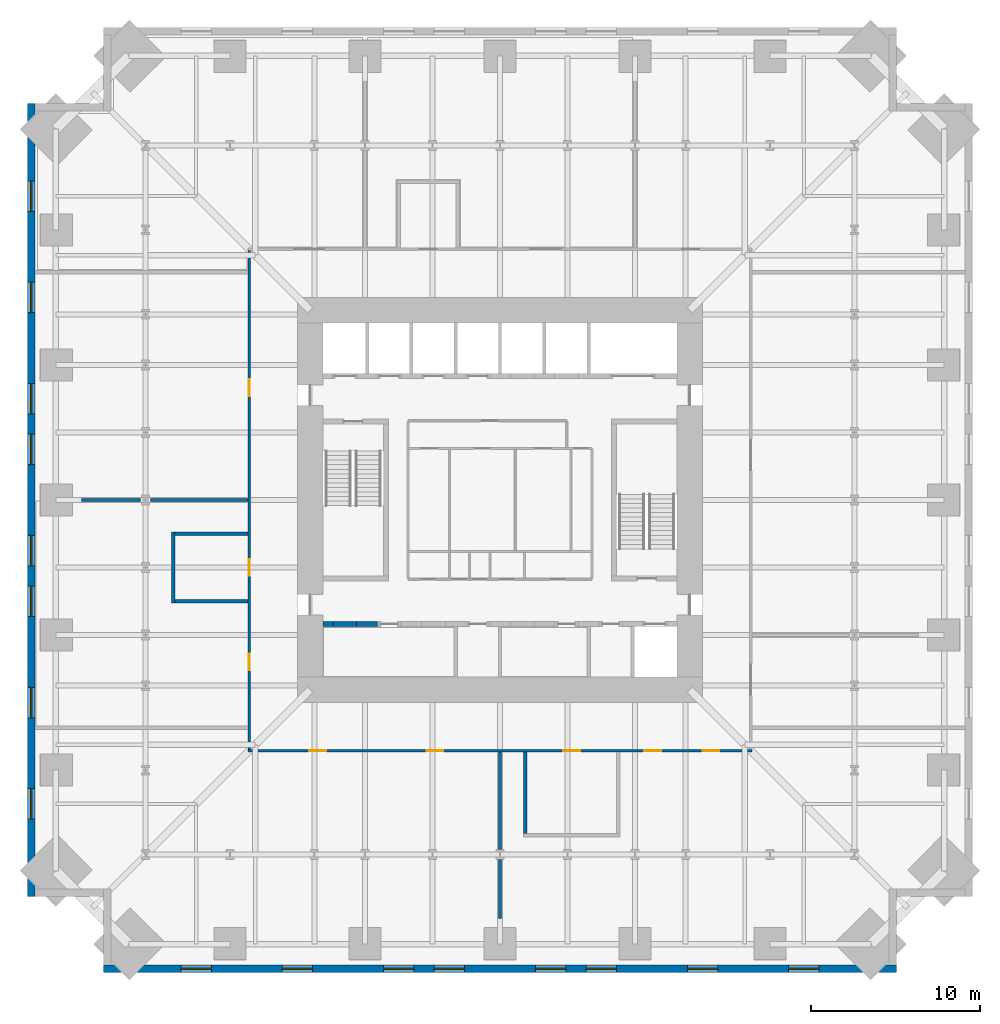
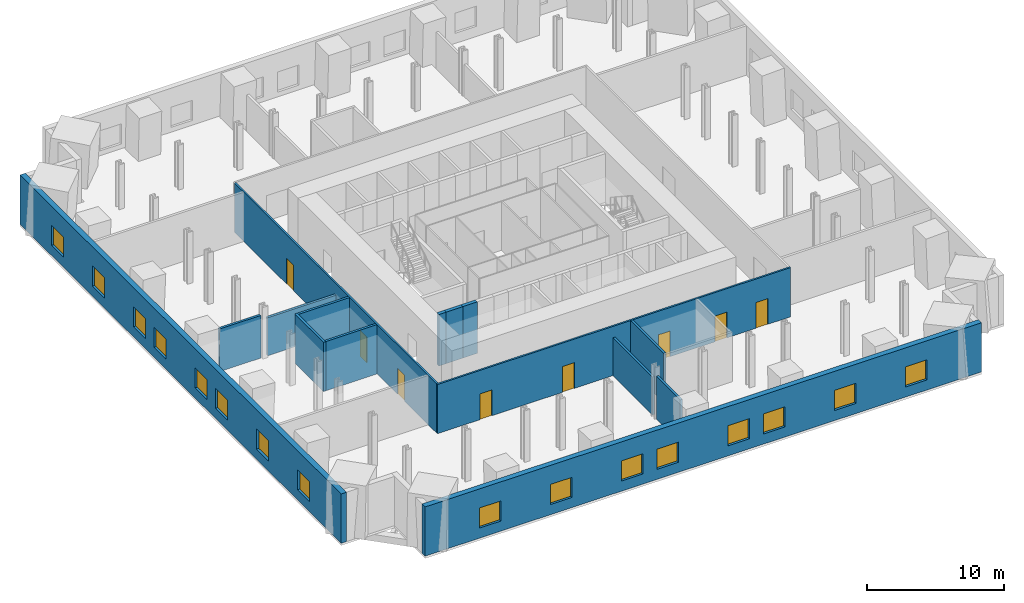
# One storey, part 3 of 8: 16 windows, 15 walls, 8 doors, 24 openings.
"""IFC4 building model written with IfcOpenShell, lengths in metres."""

from ifc_helpers import new_model, si_unit, direction, frame, frame_2d, origin, place, context, subcontext, project, spatial, rectangle, extrude, material, layer, layer_set, type_object, element, fill, save


model = new_model("IFC4")

# Units and contexts
model_context = context("Model", 3, precision=1e-05, world=origin(), true_north=direction((0.0, 1.0)))
body_context = subcontext(model_context, "Body", "Model", "MODEL_VIEW")
ifc_project = project(units=[si_unit("LENGTHUNIT", "METRE"), si_unit("AREAUNIT", "SQUARE_METRE"), si_unit("VOLUMEUNIT", "CUBIC_METRE"), si_unit("PLANEANGLEUNIT", "RADIAN"), si_unit("MASSUNIT", "GRAM", prefix="KILO")], contexts=[model_context])

# Site, building, storey
site_placement = place(None, origin())
site = spatial("IfcSite", under=ifc_project, at=site_placement, CompositionType="ELEMENT")
building_placement = place(site_placement, origin())
building = spatial("IfcBuilding", under=site, at=building_placement, Name="Peilmerk Tower", CompositionType="ELEMENT")
storey_placement = place(building_placement, frame((0.0, 0.0, 113.60009765625)))
storey = spatial("IfcBuildingStorey", under=building, at=storey_placement, Name="L22", CompositionType="ELEMENT", Elevation=113.60009765625)

# Wall, openings, windows
ifc_material_1 = material(Name="Precast concrete C45/55, board-marked finish", Category="concrete")
ifc_layer_1 = layer(ifc_material_1, 0.449951171875)
ifc_layer_set_1 = layer_set([ifc_layer_1], Name="Precast concrete C45/55, board-marked finish")
wall_type_1 = type_object("IfcWallType", Name="EW1 450 precast concrete facade wall, board-marked", PredefinedType="SOLIDWALL", material=ifc_layer_set_1)
wall_1_placement = place(storey_placement, frame((-23.5, -27.77490234375, 0.0), z_axis=(0.0, 0.0, 1.0), x_axis=(1.0, 0.0, 0.0)))
wall_1 = element("IfcWall", 1, at=wall_1_placement, inside=storey, type_object=wall_type_1, Name="Facade wall S L22", PredefinedType="SOLIDWALL", context=body_context, shape_type="SweptSolid", body=[
    extrude(rectangle(XDim=47.0, YDim=0.449951171875, at=frame_2d((23.5, 0.0))), origin(), (0.0, 0.0, 1.0), 4.39990234375),
])
opening_1_placement = place(wall_1_placement, frame((4.60009765625, 0.0, 0.89990234375)))
opening_1 = element("IfcOpeningElement", 2, at=opening_1_placement, cuts=wall_1, Name="Opening W3", PredefinedType="OPENING", context=body_context, shape_type="SweptSolid", body=[
    extrude(rectangle(XDim=1.800048828125, YDim=1.800048828125, at=frame_2d((0.89990234375, 0.89990234375))), frame((0.0, 0.23486328125, 0.0), z_axis=(0.0, -1.0, 0.0), x_axis=(1.0, 0.0, 0.0)), (0.0, 0.0, 1.0), 0.469970703125),
])
opening_2_placement = place(wall_1_placement, frame((10.60009765625, 0.0, 0.89990234375)))
opening_2 = element("IfcOpeningElement", 3, at=opening_2_placement, cuts=wall_1, Name="Opening W3", PredefinedType="OPENING", context=body_context, shape_type="SweptSolid", body=[
    extrude(rectangle(XDim=1.800048828125, YDim=1.800048828125, at=frame_2d((0.89990234375, 0.89990234375))), frame((0.0, 0.23486328125, 0.0), z_axis=(0.0, -1.0, 0.0), x_axis=(1.0, 0.0, 0.0)), (0.0, 0.0, 1.0), 0.469970703125),
])
opening_3_placement = place(wall_1_placement, frame((16.60009765625, 0.0, 0.89990234375)))
opening_3 = element("IfcOpeningElement", 4, at=opening_3_placement, cuts=wall_1, Name="Opening W3", PredefinedType="OPENING", context=body_context, shape_type="SweptSolid", body=[
    extrude(rectangle(XDim=1.800048828125, YDim=1.800048828125, at=frame_2d((0.89990234375, 0.89990234375))), frame((0.0, 0.23486328125, 0.0), z_axis=(0.0, -1.0, 0.0), x_axis=(1.0, 0.0, 0.0)), (0.0, 0.0, 1.0), 0.469970703125),
])
opening_4_placement = place(wall_1_placement, frame((19.60009765625, 0.0, 0.89990234375)))
opening_4 = element("IfcOpeningElement", 5, at=opening_4_placement, cuts=wall_1, Name="Opening W3", PredefinedType="OPENING", context=body_context, shape_type="SweptSolid", body=[
    extrude(rectangle(XDim=1.800048828125, YDim=1.800048828125, at=frame_2d((0.89990234375, 0.89990234375))), frame((0.0, 0.23486328125, 0.0), z_axis=(0.0, -1.0, 0.0), x_axis=(1.0, 0.0, 0.0)), (0.0, 0.0, 1.0), 0.469970703125),
])
opening_5_placement = place(wall_1_placement, frame((25.60009765625, 0.0, 0.89990234375)))
opening_5 = element("IfcOpeningElement", 6, at=opening_5_placement, cuts=wall_1, Name="Opening W3", PredefinedType="OPENING", context=body_context, shape_type="SweptSolid", body=[
    extrude(rectangle(XDim=1.800048828125, YDim=1.800048828125, at=frame_2d((0.89990234375, 0.89990234375))), frame((0.0, 0.23486328125, 0.0), z_axis=(0.0, -1.0, 0.0), x_axis=(1.0, 0.0, 0.0)), (0.0, 0.0, 1.0), 0.469970703125),
])
opening_6_placement = place(wall_1_placement, frame((28.60009765625, 0.0, 0.89990234375)))
opening_6 = element("IfcOpeningElement", 7, at=opening_6_placement, cuts=wall_1, Name="Opening W3", PredefinedType="OPENING", context=body_context, shape_type="SweptSolid", body=[
    extrude(rectangle(XDim=1.800048828125, YDim=1.800048828125, at=frame_2d((0.89990234375, 0.89990234375))), frame((0.0, 0.23486328125, 0.0), z_axis=(0.0, -1.0, 0.0), x_axis=(1.0, 0.0, 0.0)), (0.0, 0.0, 1.0), 0.469970703125),
])
opening_7_placement = place(wall_1_placement, frame((34.60009765625, 0.0, 0.89990234375)))
opening_7 = element("IfcOpeningElement", 8, at=opening_7_placement, cuts=wall_1, Name="Opening W3", PredefinedType="OPENING", context=body_context, shape_type="SweptSolid", body=[
    extrude(rectangle(XDim=1.800048828125, YDim=1.800048828125, at=frame_2d((0.89990234375, 0.89990234375))), frame((0.0, 0.23486328125, 0.0), z_axis=(0.0, -1.0, 0.0), x_axis=(1.0, 0.0, 0.0)), (0.0, 0.0, 1.0), 0.469970703125),
])
opening_8_placement = place(wall_1_placement, frame((40.60009765625, 0.0, 0.89990234375)))
opening_8 = element("IfcOpeningElement", 9, at=opening_8_placement, cuts=wall_1, Name="Opening W3", PredefinedType="OPENING", context=body_context, shape_type="SweptSolid", body=[
    extrude(rectangle(XDim=1.800048828125, YDim=1.800048828125, at=frame_2d((0.89990234375, 0.89990234375))), frame((0.0, 0.23486328125, 0.0), z_axis=(0.0, -1.0, 0.0), x_axis=(1.0, 0.0, 0.0)), (0.0, 0.0, 1.0), 0.469970703125),
])
ifc_material_2 = material(Name="Aluminium frame, clear double glazing", Category="aluminium")
window_type = type_object("IfcWindowType", Name="W3 1800x1800 telecom floor window", PartitioningType="SINGLE_PANEL", PredefinedType="WINDOW", material=ifc_material_2)
window_1_placement = place(opening_1_placement, origin())
window_1 = element("IfcWindow", 10, at=window_1_placement, inside=storey, type_object=window_type, Name="Window W3 L22", OverallHeight=1.800048828125, OverallWidth=1.800048828125, PartitioningType="SINGLE_PANEL", PredefinedType="WINDOW", context=body_context, shape_type="SweptSolid", body=[
    extrude(rectangle(XDim=1.800048828125, YDim=1.800048828125, at=frame_2d((0.89990234375, 0.89990234375))), frame((0.0, 0.030029296875, 0.0), z_axis=(0.0, -1.0, 0.0), x_axis=(1.0, 0.0, 0.0)), (0.0, 0.0, 1.0), 0.06005859375),
])
fill(opening_1, window_1)
window_2_placement = place(opening_2_placement, origin())
window_2 = element("IfcWindow", 11, at=window_2_placement, inside=storey, type_object=window_type, Name="Window W3 L22", OverallHeight=1.800048828125, OverallWidth=1.800048828125, PartitioningType="SINGLE_PANEL", PredefinedType="WINDOW", context=body_context, shape_type="SweptSolid", body=[
    extrude(rectangle(XDim=1.800048828125, YDim=1.800048828125, at=frame_2d((0.89990234375, 0.89990234375))), frame((0.0, 0.030029296875, 0.0), z_axis=(0.0, -1.0, 0.0), x_axis=(1.0, 0.0, 0.0)), (0.0, 0.0, 1.0), 0.06005859375),
])
fill(opening_2, window_2)
window_3_placement = place(opening_3_placement, origin())
window_3 = element("IfcWindow", 12, at=window_3_placement, inside=storey, type_object=window_type, Name="Window W3 L22", OverallHeight=1.800048828125, OverallWidth=1.800048828125, PartitioningType="SINGLE_PANEL", PredefinedType="WINDOW", context=body_context, shape_type="SweptSolid", body=[
    extrude(rectangle(XDim=1.800048828125, YDim=1.800048828125, at=frame_2d((0.89990234375, 0.89990234375))), frame((0.0, 0.030029296875, 0.0), z_axis=(0.0, -1.0, 0.0), x_axis=(1.0, 0.0, 0.0)), (0.0, 0.0, 1.0), 0.06005859375),
])
fill(opening_3, window_3)
window_4_placement = place(opening_4_placement, origin())
window_4 = element("IfcWindow", 13, at=window_4_placement, inside=storey, type_object=window_type, Name="Window W3 L22", OverallHeight=1.800048828125, OverallWidth=1.800048828125, PartitioningType="SINGLE_PANEL", PredefinedType="WINDOW", context=body_context, shape_type="SweptSolid", body=[
    extrude(rectangle(XDim=1.800048828125, YDim=1.800048828125, at=frame_2d((0.89990234375, 0.89990234375))), frame((0.0, 0.030029296875, 0.0), z_axis=(0.0, -1.0, 0.0), x_axis=(1.0, 0.0, 0.0)), (0.0, 0.0, 1.0), 0.06005859375),
])
fill(opening_4, window_4)
window_5_placement = place(opening_5_placement, origin())
window_5 = element("IfcWindow", 14, at=window_5_placement, inside=storey, type_object=window_type, Name="Window W3 L22", OverallHeight=1.800048828125, OverallWidth=1.800048828125, PartitioningType="SINGLE_PANEL", PredefinedType="WINDOW", context=body_context, shape_type="SweptSolid", body=[
    extrude(rectangle(XDim=1.800048828125, YDim=1.800048828125, at=frame_2d((0.89990234375, 0.89990234375))), frame((0.0, 0.030029296875, 0.0), z_axis=(0.0, -1.0, 0.0), x_axis=(1.0, 0.0, 0.0)), (0.0, 0.0, 1.0), 0.06005859375),
])
fill(opening_5, window_5)
window_6_placement = place(opening_6_placement, origin())
window_6 = element("IfcWindow", 15, at=window_6_placement, inside=storey, type_object=window_type, Name="Window W3 L22", OverallHeight=1.800048828125, OverallWidth=1.800048828125, PartitioningType="SINGLE_PANEL", PredefinedType="WINDOW", context=body_context, shape_type="SweptSolid", body=[
    extrude(rectangle(XDim=1.800048828125, YDim=1.800048828125, at=frame_2d((0.89990234375, 0.89990234375))), frame((0.0, 0.030029296875, 0.0), z_axis=(0.0, -1.0, 0.0), x_axis=(1.0, 0.0, 0.0)), (0.0, 0.0, 1.0), 0.06005859375),
])
fill(opening_6, window_6)
window_7_placement = place(opening_7_placement, origin())
window_7 = element("IfcWindow", 16, at=window_7_placement, inside=storey, type_object=window_type, Name="Window W3 L22", OverallHeight=1.800048828125, OverallWidth=1.800048828125, PartitioningType="SINGLE_PANEL", PredefinedType="WINDOW", context=body_context, shape_type="SweptSolid", body=[
    extrude(rectangle(XDim=1.800048828125, YDim=1.800048828125, at=frame_2d((0.89990234375, 0.89990234375))), frame((0.0, 0.030029296875, 0.0), z_axis=(0.0, -1.0, 0.0), x_axis=(1.0, 0.0, 0.0)), (0.0, 0.0, 1.0), 0.06005859375),
])
fill(opening_7, window_7)
window_8_placement = place(opening_8_placement, origin())
window_8 = element("IfcWindow", 17, at=window_8_placement, inside=storey, type_object=window_type, Name="Window W3 L22", OverallHeight=1.800048828125, OverallWidth=1.800048828125, PartitioningType="SINGLE_PANEL", PredefinedType="WINDOW", context=body_context, shape_type="SweptSolid", body=[
    extrude(rectangle(XDim=1.800048828125, YDim=1.800048828125, at=frame_2d((0.89990234375, 0.89990234375))), frame((0.0, 0.030029296875, 0.0), z_axis=(0.0, -1.0, 0.0), x_axis=(1.0, 0.0, 0.0)), (0.0, 0.0, 1.0), 0.06005859375),
])
fill(opening_8, window_8)

wall_2_placement = place(storey_placement, frame((-27.77490234375, 23.5, 0.0), z_axis=(0.0, 0.0, 1.0), x_axis=(0.0, -1.0, 0.0)))
wall_2 = element("IfcWall", 18, at=wall_2_placement, inside=storey, type_object=wall_type_1, Name="Facade wall W L22", PredefinedType="SOLIDWALL", context=body_context, shape_type="SweptSolid", body=[
    extrude(rectangle(XDim=47.0, YDim=0.449951171875, at=frame_2d((23.5, 0.0))), origin(), (0.0, 0.0, 1.0), 4.39990234375),
])
opening_9_placement = place(wall_2_placement, frame((4.60009765625, 0.0, 0.89990234375)))
opening_9 = element("IfcOpeningElement", 19, at=opening_9_placement, cuts=wall_2, Name="Opening W3", PredefinedType="OPENING", context=body_context, shape_type="SweptSolid", body=[
    extrude(rectangle(XDim=1.800048828125, YDim=1.800048828125, at=frame_2d((0.89990234375, 0.89990234375))), frame((0.0, 0.23486328125, 0.0), z_axis=(0.0, -1.0, 0.0), x_axis=(1.0, 0.0, 0.0)), (0.0, 0.0, 1.0), 0.469970703125),
])
opening_10_placement = place(wall_2_placement, frame((10.60009765625, 0.0, 0.89990234375)))
opening_10 = element("IfcOpeningElement", 20, at=opening_10_placement, cuts=wall_2, Name="Opening W3", PredefinedType="OPENING", context=body_context, shape_type="SweptSolid", body=[
    extrude(rectangle(XDim=1.800048828125, YDim=1.800048828125, at=frame_2d((0.89990234375, 0.89990234375))), frame((0.0, 0.23486328125, 0.0), z_axis=(0.0, -1.0, 0.0), x_axis=(1.0, 0.0, 0.0)), (0.0, 0.0, 1.0), 0.469970703125),
])
opening_11_placement = place(wall_2_placement, frame((16.60009765625, 0.0, 0.89990234375)))
opening_11 = element("IfcOpeningElement", 21, at=opening_11_placement, cuts=wall_2, Name="Opening W3", PredefinedType="OPENING", context=body_context, shape_type="SweptSolid", body=[
    extrude(rectangle(XDim=1.800048828125, YDim=1.800048828125, at=frame_2d((0.89990234375, 0.89990234375))), frame((0.0, 0.23486328125, 0.0), z_axis=(0.0, -1.0, 0.0), x_axis=(1.0, 0.0, 0.0)), (0.0, 0.0, 1.0), 0.469970703125),
])
opening_12_placement = place(wall_2_placement, frame((19.60009765625, 0.0, 0.89990234375)))
opening_12 = element("IfcOpeningElement", 22, at=opening_12_placement, cuts=wall_2, Name="Opening W3", PredefinedType="OPENING", context=body_context, shape_type="SweptSolid", body=[
    extrude(rectangle(XDim=1.800048828125, YDim=1.800048828125, at=frame_2d((0.89990234375, 0.89990234375))), frame((0.0, 0.23486328125, 0.0), z_axis=(0.0, -1.0, 0.0), x_axis=(1.0, 0.0, 0.0)), (0.0, 0.0, 1.0), 0.469970703125),
])
opening_13_placement = place(wall_2_placement, frame((25.60009765625, 0.0, 0.89990234375)))
opening_13 = element("IfcOpeningElement", 23, at=opening_13_placement, cuts=wall_2, Name="Opening W3", PredefinedType="OPENING", context=body_context, shape_type="SweptSolid", body=[
    extrude(rectangle(XDim=1.800048828125, YDim=1.800048828125, at=frame_2d((0.89990234375, 0.89990234375))), frame((0.0, 0.23486328125, 0.0), z_axis=(0.0, -1.0, 0.0), x_axis=(1.0, 0.0, 0.0)), (0.0, 0.0, 1.0), 0.469970703125),
])
opening_14_placement = place(wall_2_placement, frame((28.60009765625, 0.0, 0.89990234375)))
opening_14 = element("IfcOpeningElement", 24, at=opening_14_placement, cuts=wall_2, Name="Opening W3", PredefinedType="OPENING", context=body_context, shape_type="SweptSolid", body=[
    extrude(rectangle(XDim=1.800048828125, YDim=1.800048828125, at=frame_2d((0.89990234375, 0.89990234375))), frame((0.0, 0.23486328125, 0.0), z_axis=(0.0, -1.0, 0.0), x_axis=(1.0, 0.0, 0.0)), (0.0, 0.0, 1.0), 0.469970703125),
])
opening_15_placement = place(wall_2_placement, frame((34.60009765625, 0.0, 0.89990234375)))
opening_15 = element("IfcOpeningElement", 25, at=opening_15_placement, cuts=wall_2, Name="Opening W3", PredefinedType="OPENING", context=body_context, shape_type="SweptSolid", body=[
    extrude(rectangle(XDim=1.800048828125, YDim=1.800048828125, at=frame_2d((0.89990234375, 0.89990234375))), frame((0.0, 0.23486328125, 0.0), z_axis=(0.0, -1.0, 0.0), x_axis=(1.0, 0.0, 0.0)), (0.0, 0.0, 1.0), 0.469970703125),
])
opening_16_placement = place(wall_2_placement, frame((40.60009765625, 0.0, 0.89990234375)))
opening_16 = element("IfcOpeningElement", 26, at=opening_16_placement, cuts=wall_2, Name="Opening W3", PredefinedType="OPENING", context=body_context, shape_type="SweptSolid", body=[
    extrude(rectangle(XDim=1.800048828125, YDim=1.800048828125, at=frame_2d((0.89990234375, 0.89990234375))), frame((0.0, 0.23486328125, 0.0), z_axis=(0.0, -1.0, 0.0), x_axis=(1.0, 0.0, 0.0)), (0.0, 0.0, 1.0), 0.469970703125),
])
window_9_placement = place(opening_9_placement, origin())
window_9 = element("IfcWindow", 27, at=window_9_placement, inside=storey, type_object=window_type, Name="Window W3 L22", OverallHeight=1.800048828125, OverallWidth=1.800048828125, PartitioningType="SINGLE_PANEL", PredefinedType="WINDOW", context=body_context, shape_type="SweptSolid", body=[
    extrude(rectangle(XDim=1.800048828125, YDim=1.800048828125, at=frame_2d((0.89990234375, 0.89990234375))), frame((0.0, 0.030029296875, 0.0), z_axis=(0.0, -1.0, 0.0), x_axis=(1.0, 0.0, 0.0)), (0.0, 0.0, 1.0), 0.06005859375),
])
fill(opening_9, window_9)
window_10_placement = place(opening_10_placement, origin())
window_10 = element("IfcWindow", 28, at=window_10_placement, inside=storey, type_object=window_type, Name="Window W3 L22", OverallHeight=1.800048828125, OverallWidth=1.800048828125, PartitioningType="SINGLE_PANEL", PredefinedType="WINDOW", context=body_context, shape_type="SweptSolid", body=[
    extrude(rectangle(XDim=1.800048828125, YDim=1.800048828125, at=frame_2d((0.89990234375, 0.89990234375))), frame((0.0, 0.030029296875, 0.0), z_axis=(0.0, -1.0, 0.0), x_axis=(1.0, 0.0, 0.0)), (0.0, 0.0, 1.0), 0.06005859375),
])
fill(opening_10, window_10)
window_11_placement = place(opening_11_placement, origin())
window_11 = element("IfcWindow", 29, at=window_11_placement, inside=storey, type_object=window_type, Name="Window W3 L22", OverallHeight=1.800048828125, OverallWidth=1.800048828125, PartitioningType="SINGLE_PANEL", PredefinedType="WINDOW", context=body_context, shape_type="SweptSolid", body=[
    extrude(rectangle(XDim=1.800048828125, YDim=1.800048828125, at=frame_2d((0.89990234375, 0.89990234375))), frame((0.0, 0.030029296875, 0.0), z_axis=(0.0, -1.0, 0.0), x_axis=(1.0, 0.0, 0.0)), (0.0, 0.0, 1.0), 0.06005859375),
])
fill(opening_11, window_11)
window_12_placement = place(opening_12_placement, origin())
window_12 = element("IfcWindow", 30, at=window_12_placement, inside=storey, type_object=window_type, Name="Window W3 L22", OverallHeight=1.800048828125, OverallWidth=1.800048828125, PartitioningType="SINGLE_PANEL", PredefinedType="WINDOW", context=body_context, shape_type="SweptSolid", body=[
    extrude(rectangle(XDim=1.800048828125, YDim=1.800048828125, at=frame_2d((0.89990234375, 0.89990234375))), frame((0.0, 0.030029296875, 0.0), z_axis=(0.0, -1.0, 0.0), x_axis=(1.0, 0.0, 0.0)), (0.0, 0.0, 1.0), 0.06005859375),
])
fill(opening_12, window_12)
window_13_placement = place(opening_13_placement, origin())
window_13 = element("IfcWindow", 31, at=window_13_placement, inside=storey, type_object=window_type, Name="Window W3 L22", OverallHeight=1.800048828125, OverallWidth=1.800048828125, PartitioningType="SINGLE_PANEL", PredefinedType="WINDOW", context=body_context, shape_type="SweptSolid", body=[
    extrude(rectangle(XDim=1.800048828125, YDim=1.800048828125, at=frame_2d((0.89990234375, 0.89990234375))), frame((0.0, 0.030029296875, 0.0), z_axis=(0.0, -1.0, 0.0), x_axis=(1.0, 0.0, 0.0)), (0.0, 0.0, 1.0), 0.06005859375),
])
fill(opening_13, window_13)
window_14_placement = place(opening_14_placement, origin())
window_14 = element("IfcWindow", 32, at=window_14_placement, inside=storey, type_object=window_type, Name="Window W3 L22", OverallHeight=1.800048828125, OverallWidth=1.800048828125, PartitioningType="SINGLE_PANEL", PredefinedType="WINDOW", context=body_context, shape_type="SweptSolid", body=[
    extrude(rectangle(XDim=1.800048828125, YDim=1.800048828125, at=frame_2d((0.89990234375, 0.89990234375))), frame((0.0, 0.030029296875, 0.0), z_axis=(0.0, -1.0, 0.0), x_axis=(1.0, 0.0, 0.0)), (0.0, 0.0, 1.0), 0.06005859375),
])
fill(opening_14, window_14)
window_15_placement = place(opening_15_placement, origin())
window_15 = element("IfcWindow", 33, at=window_15_placement, inside=storey, type_object=window_type, Name="Window W3 L22", OverallHeight=1.800048828125, OverallWidth=1.800048828125, PartitioningType="SINGLE_PANEL", PredefinedType="WINDOW", context=body_context, shape_type="SweptSolid", body=[
    extrude(rectangle(XDim=1.800048828125, YDim=1.800048828125, at=frame_2d((0.89990234375, 0.89990234375))), frame((0.0, 0.030029296875, 0.0), z_axis=(0.0, -1.0, 0.0), x_axis=(1.0, 0.0, 0.0)), (0.0, 0.0, 1.0), 0.06005859375),
])
fill(opening_15, window_15)
window_16_placement = place(opening_16_placement, origin())
window_16 = element("IfcWindow", 34, at=window_16_placement, inside=storey, type_object=window_type, Name="Window W3 L22", OverallHeight=1.800048828125, OverallWidth=1.800048828125, PartitioningType="SINGLE_PANEL", PredefinedType="WINDOW", context=body_context, shape_type="SweptSolid", body=[
    extrude(rectangle(XDim=1.800048828125, YDim=1.800048828125, at=frame_2d((0.89990234375, 0.89990234375))), frame((0.0, 0.030029296875, 0.0), z_axis=(0.0, -1.0, 0.0), x_axis=(1.0, 0.0, 0.0)), (0.0, 0.0, 1.0), 0.06005859375),
])
fill(opening_16, window_16)

# Wall, openings, doors
ifc_material_3 = material(Name="Calcium silicate block", Category="masonry")
ifc_layer_2 = layer(ifc_material_3, 0.14990234375)
ifc_layer_set_2 = layer_set([ifc_layer_2], Name="Calcium silicate block")
wall_type_2 = type_object("IfcWallType", Name="IW1 150 corridor partition, EI 60", PredefinedType="PARTITIONING", material=ifc_layer_set_2)
wall_3_placement = place(storey_placement, frame((14.925048828125, -14.85009765625, 0.0), z_axis=(0.0, 0.0, 1.0), x_axis=(-1.0, 0.0, 0.0)))
wall_3 = element("IfcWall", 35, at=wall_3_placement, inside=storey, type_object=wall_type_2, Name="Corridor wall S L22", PredefinedType="PARTITIONING", context=body_context, shape_type="SweptSolid", body=[
    extrude(rectangle(XDim=29.85009765625, YDim=0.14990234375, at=frame_2d((14.925048828125, 0.0))), origin(), (0.0, 0.0, 1.0), 4.39990234375),
])
opening_17_placement = place(wall_3_placement, frame((25.22509765625, 0.0, 0.0)))
opening_17 = element("IfcOpeningElement", 36, at=opening_17_placement, cuts=wall_3, Name="Opening D1", PredefinedType="OPENING", context=body_context, shape_type="SweptSolid", body=[
    extrude(rectangle(XDim=1.0, YDim=2.300048828125, at=frame_2d((0.5, 1.14990234375))), frame((0.0, 0.0849609375, 0.0), z_axis=(0.0, -1.0, 0.0), x_axis=(1.0, 0.0, 0.0)), (0.0, 0.0, 1.0), 0.169921875),
])
opening_18_placement = place(wall_3_placement, frame((18.27490234375, 0.0, 0.0)))
opening_18 = element("IfcOpeningElement", 37, at=opening_18_placement, cuts=wall_3, Name="Opening D1", PredefinedType="OPENING", context=body_context, shape_type="SweptSolid", body=[
    extrude(rectangle(XDim=1.0, YDim=2.300048828125, at=frame_2d((0.5, 1.14990234375))), frame((0.0, 0.0849609375, 0.0), z_axis=(0.0, -1.0, 0.0), x_axis=(1.0, 0.0, 0.0)), (0.0, 0.0, 1.0), 0.169921875),
])
opening_19_placement = place(wall_3_placement, frame((5.375, 0.0, 0.0)))
opening_19 = element("IfcOpeningElement", 38, at=opening_19_placement, cuts=wall_3, Name="Opening D1", PredefinedType="OPENING", context=body_context, shape_type="SweptSolid", body=[
    extrude(rectangle(XDim=1.0, YDim=2.300048828125, at=frame_2d((0.5, 1.14990234375))), frame((0.0, 0.0849609375, 0.0), z_axis=(0.0, -1.0, 0.0), x_axis=(1.0, 0.0, 0.0)), (0.0, 0.0, 1.0), 0.169921875),
])
opening_20_placement = place(wall_3_placement, frame((1.925048828125, 0.0, 0.0)))
opening_20 = element("IfcOpeningElement", 39, at=opening_20_placement, cuts=wall_3, Name="Opening D1", PredefinedType="OPENING", context=body_context, shape_type="SweptSolid", body=[
    extrude(rectangle(XDim=1.0, YDim=2.300048828125, at=frame_2d((0.5, 1.14990234375))), frame((0.0, 0.0849609375, 0.0), z_axis=(0.0, -1.0, 0.0), x_axis=(1.0, 0.0, 0.0)), (0.0, 0.0, 1.0), 0.169921875),
])
opening_21_placement = place(wall_3_placement, frame((10.175048828125, 0.0, 0.0)))
opening_21 = element("IfcOpeningElement", 40, at=opening_21_placement, cuts=wall_3, Name="Opening D1", PredefinedType="OPENING", context=body_context, shape_type="SweptSolid", body=[
    extrude(rectangle(XDim=1.0, YDim=2.300048828125, at=frame_2d((0.5, 1.14990234375))), frame((0.0, 0.0849609375, 0.0), z_axis=(0.0, -1.0, 0.0), x_axis=(1.0, 0.0, 0.0)), (0.0, 0.0, 1.0), 0.169921875),
])
ifc_material_4 = material(Name="Timber door in steel frame", Category="steel")
door_type = type_object("IfcDoorType", Name="D1 1000x2300 room door, EI2 30", OperationType="SINGLE_SWING_LEFT", PredefinedType="DOOR", material=ifc_material_4)
door_1_placement = place(opening_17_placement, origin())
door_1 = element("IfcDoor", 41, at=door_1_placement, inside=storey, type_object=door_type, Name="Door Test lab L22", OperationType="SINGLE_SWING_LEFT", OverallHeight=2.300048828125, OverallWidth=1.0, PredefinedType="DOOR", context=body_context, shape_type="SweptSolid", body=[
    extrude(rectangle(XDim=1.0, YDim=2.300048828125, at=frame_2d((0.5, 1.14990234375))), frame((0.0, 0.02490234375, 0.0), z_axis=(0.0, -1.0, 0.0), x_axis=(1.0, 0.0, 0.0)), (0.0, 0.0, 1.0), 0.050048828125),
])
fill(opening_17, door_1)
door_2_placement = place(opening_18_placement, origin())
door_2 = element("IfcDoor", 42, at=door_2_placement, inside=storey, type_object=door_type, Name="Door Test lab L22", OperationType="SINGLE_SWING_LEFT", OverallHeight=2.300048828125, OverallWidth=1.0, PredefinedType="DOOR", context=body_context, shape_type="SweptSolid", body=[
    extrude(rectangle(XDim=1.0, YDim=2.300048828125, at=frame_2d((0.5, 1.14990234375))), frame((0.0, 0.02490234375, 0.0), z_axis=(0.0, -1.0, 0.0), x_axis=(1.0, 0.0, 0.0)), (0.0, 0.0, 1.0), 0.050048828125),
])
fill(opening_18, door_2)
door_3_placement = place(opening_19_placement, origin())
door_3 = element("IfcDoor", 43, at=door_3_placement, inside=storey, type_object=door_type, Name="Door Engineering workshop L22", OperationType="SINGLE_SWING_LEFT", OverallHeight=2.300048828125, OverallWidth=1.0, PredefinedType="DOOR", context=body_context, shape_type="SweptSolid", body=[
    extrude(rectangle(XDim=1.0, YDim=2.300048828125, at=frame_2d((0.5, 1.14990234375))), frame((0.0, 0.02490234375, 0.0), z_axis=(0.0, -1.0, 0.0), x_axis=(1.0, 0.0, 0.0)), (0.0, 0.0, 1.0), 0.050048828125),
])
fill(opening_19, door_3)
door_4_placement = place(opening_20_placement, origin())
door_4 = element("IfcDoor", 44, at=door_4_placement, inside=storey, type_object=door_type, Name="Door Engineering workshop L22", OperationType="SINGLE_SWING_LEFT", OverallHeight=2.300048828125, OverallWidth=1.0, PredefinedType="DOOR", context=body_context, shape_type="SweptSolid", body=[
    extrude(rectangle(XDim=1.0, YDim=2.300048828125, at=frame_2d((0.5, 1.14990234375))), frame((0.0, 0.02490234375, 0.0), z_axis=(0.0, -1.0, 0.0), x_axis=(1.0, 0.0, 0.0)), (0.0, 0.0, 1.0), 0.050048828125),
])
fill(opening_20, door_4)
door_5_placement = place(opening_21_placement, origin())
door_5 = element("IfcDoor", 45, at=door_5_placement, inside=storey, type_object=door_type, Name="Door Operations office L22", OperationType="SINGLE_SWING_LEFT", OverallHeight=2.300048828125, OverallWidth=1.0, PredefinedType="DOOR", context=body_context, shape_type="SweptSolid", body=[
    extrude(rectangle(XDim=1.0, YDim=2.300048828125, at=frame_2d((0.5, 1.14990234375))), frame((0.0, 0.02490234375, 0.0), z_axis=(0.0, -1.0, 0.0), x_axis=(1.0, 0.0, 0.0)), (0.0, 0.0, 1.0), 0.050048828125),
])
fill(opening_21, door_5)

wall_4_placement = place(storey_placement, frame((-14.85009765625, 14.77490234375, 0.0), z_axis=(0.0, 0.0, 1.0), x_axis=(0.0, -1.0, 0.0)))
wall_4 = element("IfcWall", 46, at=wall_4_placement, inside=storey, type_object=wall_type_2, Name="Corridor wall W L22", PredefinedType="PARTITIONING", context=body_context, shape_type="SweptSolid", body=[
    extrude(rectangle(XDim=29.5498046875, YDim=0.14990234375, at=frame_2d((14.77490234375, 0.0))), origin(), (0.0, 0.0, 1.0), 4.39990234375),
])
opening_22_placement = place(wall_4_placement, frame((23.875, 0.0, 0.0)))
opening_22 = element("IfcOpeningElement", 47, at=opening_22_placement, cuts=wall_4, Name="Opening D1", PredefinedType="OPENING", context=body_context, shape_type="SweptSolid", body=[
    extrude(rectangle(XDim=1.0, YDim=2.300048828125, at=frame_2d((0.5, 1.14990234375))), frame((0.0, 0.0849609375, 0.0), z_axis=(0.0, -1.0, 0.0), x_axis=(1.0, 0.0, 0.0)), (0.0, 0.0, 1.0), 0.169921875),
])
opening_23_placement = place(wall_4_placement, frame((7.625, 0.0, 0.0)))
opening_23 = element("IfcOpeningElement", 48, at=opening_23_placement, cuts=wall_4, Name="Opening D1", PredefinedType="OPENING", context=body_context, shape_type="SweptSolid", body=[
    extrude(rectangle(XDim=1.0, YDim=2.300048828125, at=frame_2d((0.5, 1.14990234375))), frame((0.0, 0.0849609375, 0.0), z_axis=(0.0, -1.0, 0.0), x_axis=(1.0, 0.0, 0.0)), (0.0, 0.0, 1.0), 0.169921875),
])
opening_24_placement = place(wall_4_placement, frame((18.27490234375, 0.0, 0.0)))
opening_24 = element("IfcOpeningElement", 49, at=opening_24_placement, cuts=wall_4, Name="Opening D1", PredefinedType="OPENING", context=body_context, shape_type="SweptSolid", body=[
    extrude(rectangle(XDim=1.0, YDim=2.300048828125, at=frame_2d((0.5, 1.14990234375))), frame((0.0, 0.0849609375, 0.0), z_axis=(0.0, -1.0, 0.0), x_axis=(1.0, 0.0, 0.0)), (0.0, 0.0, 1.0), 0.169921875),
])
door_6_placement = place(opening_22_placement, frame((1.0, 0.0, 0.0), z_axis=(0.0, 0.0, 1.0), x_axis=(-1.0, 0.0, 0.0)))
door_6 = element("IfcDoor", 50, at=door_6_placement, inside=storey, type_object=door_type, Name="Door Engineering office L22", OperationType="SINGLE_SWING_LEFT", OverallHeight=2.300048828125, OverallWidth=1.0, PredefinedType="DOOR", context=body_context, shape_type="SweptSolid", body=[
    extrude(rectangle(XDim=1.0, YDim=2.300048828125, at=frame_2d((0.5, 1.14990234375))), frame((0.0, 0.02490234375, 0.0), z_axis=(0.0, -1.0, 0.0), x_axis=(1.0, 0.0, 0.0)), (0.0, 0.0, 1.0), 0.050048828125),
])
fill(opening_22, door_6)
door_7_placement = place(opening_23_placement, frame((1.0, 0.0, 0.0), z_axis=(0.0, 0.0, 1.0), x_axis=(-1.0, 0.0, 0.0)))
door_7 = element("IfcDoor", 51, at=door_7_placement, inside=storey, type_object=door_type, Name="Door Repair workshop L22", OperationType="SINGLE_SWING_LEFT", OverallHeight=2.300048828125, OverallWidth=1.0, PredefinedType="DOOR", context=body_context, shape_type="SweptSolid", body=[
    extrude(rectangle(XDim=1.0, YDim=2.300048828125, at=frame_2d((0.5, 1.14990234375))), frame((0.0, 0.02490234375, 0.0), z_axis=(0.0, -1.0, 0.0), x_axis=(1.0, 0.0, 0.0)), (0.0, 0.0, 1.0), 0.050048828125),
])
fill(opening_23, door_7)
door_8_placement = place(opening_24_placement, frame((1.0, 0.0, 0.0), z_axis=(0.0, 0.0, 1.0), x_axis=(-1.0, 0.0, 0.0)))
door_8 = element("IfcDoor", 52, at=door_8_placement, inside=storey, type_object=door_type, Name="Door Meeting room L22", OperationType="SINGLE_SWING_LEFT", OverallHeight=2.300048828125, OverallWidth=1.0, PredefinedType="DOOR", context=body_context, shape_type="SweptSolid", body=[
    extrude(rectangle(XDim=1.0, YDim=2.300048828125, at=frame_2d((0.5, 1.14990234375))), frame((0.0, 0.02490234375, 0.0), z_axis=(0.0, -1.0, 0.0), x_axis=(1.0, 0.0, 0.0)), (0.0, 0.0, 1.0), 0.050048828125),
])
fill(opening_24, door_8)

# Walls
ifc_layer_3 = layer(ifc_material_3, 0.199951171875)
ifc_layer_set_3 = layer_set([ifc_layer_3], Name="Calcium silicate block")
wall_type_3 = type_object("IfcWallType", Name="IW2 200 room separating wall, EI 120", PredefinedType="PARTITIONING", material=ifc_layer_set_3)
wall_5_placement = place(storey_placement, frame((0.0, -14.925048828125, 0.0), z_axis=(0.0, 0.0, 1.0), x_axis=(0.0, -1.0, 0.0)))
element("IfcWall", 53, at=wall_5_placement, inside=storey, type_object=wall_type_3, Name="Room separating wall S1 L22", PredefinedType="PARTITIONING", context=body_context, shape_type="SweptSolid", body=[
    extrude(rectangle(XDim=5.79052734375, YDim=0.199951171875, at=frame_2d((2.895263671875, 0.0))), origin(), (0.0, 0.0, 1.0), 3.391845703125),
])
wall_6_placement = place(storey_placement, frame((0.0, -21.284423828125, 0.0), z_axis=(0.0, 0.0, 1.0), x_axis=(0.0, -1.0, 0.0)))
element("IfcWall", 54, at=wall_6_placement, inside=storey, type_object=wall_type_3, Name="Room separating wall S1b L22", PredefinedType="PARTITIONING", context=body_context, shape_type="SweptSolid", body=[
    extrude(rectangle(XDim=3.502685546875, YDim=0.199951171875, at=frame_2d((1.75146484375, 0.0))), origin(), (0.0, 0.0, 1.0), 3.809814453125),
])
wall_7_placement = place(storey_placement, frame((-14.925048828125, 0.0, 0.0), z_axis=(0.0, 0.0, 1.0), x_axis=(-1.0, 0.0, 0.0)))
element("IfcWall", 55, at=wall_7_placement, inside=storey, type_object=wall_type_3, Name="Room separating wall W1 L22", PredefinedType="PARTITIONING", context=body_context, shape_type="SweptSolid", body=[
    extrude(rectangle(XDim=5.79052734375, YDim=0.199951171875, at=frame_2d((2.895263671875, 0.0))), origin(), (0.0, 0.0, 1.0), 3.391845703125),
])
wall_8_placement = place(storey_placement, frame((-21.284423828125, 0.0, 0.0), z_axis=(0.0, 0.0, 1.0), x_axis=(-1.0, 0.0, 0.0)))
element("IfcWall", 56, at=wall_8_placement, inside=storey, type_object=wall_type_3, Name="Room separating wall W1b L22", PredefinedType="PARTITIONING", context=body_context, shape_type="SweptSolid", body=[
    extrude(rectangle(XDim=3.502685546875, YDim=0.199951171875, at=frame_2d((1.75146484375, 0.0))), origin(), (0.0, 0.0, 1.0), 3.809814453125),
])
wall_9_placement = place(storey_placement, frame((-19.35009765625, -6.10009765625, 0.0), z_axis=(0.0, 0.0, 1.0), x_axis=(0.0, 1.0, 0.0)))
element("IfcWall", 57, at=wall_9_placement, inside=storey, type_object=wall_type_3, Name="Room separating wall Meeting room L22", PredefinedType="PARTITIONING", context=body_context, shape_type="SweptSolid", body=[
    extrude(rectangle(XDim=4.2001953125, YDim=0.199951171875, at=frame_2d((2.10009765625, 0.0))), origin(), (0.0, 0.0, 1.0), 4.39990234375),
])
for number, where, z_axis, x_axis, name in (
    (58, (-14.925048828125, -6.0, 0.0), (0.0, 0.0, 1.0), (-1.0, 0.0, 0.0), "Room separating wall Meeting room L22"),
    (59, (-14.925048828125, -2.0, 0.0), (0.0, 0.0, 1.0), (-1.0, 0.0, 0.0), "Room separating wall Meeting room L22"),
):
    element("IfcWall", number, at=place(storey_placement, frame(where, z_axis=z_axis, x_axis=x_axis)), inside=storey, type_object=wall_type_3, Name=name, PredefinedType="PARTITIONING", context=body_context, shape_type="SweptSolid", body=[
        extrude(rectangle(XDim=4.324951171875, YDim=0.199951171875, at=frame_2d((2.16259765625, 0.0))), origin(), (0.0, 0.0, 1.0), 4.39990234375),
    ])
wall_10_placement = place(storey_placement, frame((1.5, -14.925048828125, 0.0), z_axis=(0.0, 0.0, 1.0), x_axis=(0.0, -1.0, 0.0)))
element("IfcWall", 60, at=wall_10_placement, inside=storey, type_object=wall_type_3, Name="Room separating wall Operations office L22", PredefinedType="PARTITIONING", context=body_context, shape_type="SweptSolid", body=[
    extrude(rectangle(XDim=4.824951171875, YDim=0.199951171875, at=frame_2d((2.41259765625, 0.0))), origin(), (0.0, 0.0, 1.0), 4.39990234375),
])
ifc_layer_4 = layer(ifc_material_3, 0.300048828125)
ifc_layer_set_4 = layer_set([ifc_layer_4], Name="Calcium silicate block")
wall_type_4 = type_object("IfcWallType", Name="SH2 300 lift landing door panel, EI 120", PredefinedType="PARTITIONING", material=ifc_layer_set_4)
wall_11_placement = place(storey_placement, frame((-9.887451171875, -7.35009765625, 0.0), z_axis=(0.0, 0.0, 1.0), x_axis=(1.0, 0.0, 0.0)))
element("IfcWall", 61, at=wall_11_placement, inside=storey, type_object=wall_type_4, Name="Lift door panel S C4 L22", PredefinedType="PARTITIONING", context=body_context, shape_type="SweptSolid", body=[
    extrude(rectangle(XDim=1.39990234375, YDim=0.300048828125, at=frame_2d((0.699951171875, 0.0))), origin(), (0.0, 0.0, 1.0), 4.599853515625),
])
ifc_material_5 = material(Name="Concrete C55/67", Category="concrete")
ifc_layer_5 = layer(ifc_material_5, 0.300048828125)
ifc_layer_set_5 = layer_set([ifc_layer_5], Name="Concrete C55/67")
wall_type_5 = type_object("IfcWallType", Name="SW2 300 lift bank pier", PredefinedType="SHEAR", material=ifc_layer_set_5)
wall_12_placement = place(storey_placement, frame((-10.5, -7.35009765625, 0.0), z_axis=(0.0, 0.0, 1.0), x_axis=(1.0, 0.0, 0.0)))
element("IfcWall", 62, at=wall_12_placement, inside=storey, type_object=wall_type_5, Name="Lift bank pier S L22", PredefinedType="SHEAR", context=body_context, shape_type="SweptSolid", body=[
    extrude(rectangle(XDim=0.612548828125, YDim=0.300048828125, at=frame_2d((0.30615234375, 0.0))), origin(), (0.0, 0.0, 1.0), 4.599853515625),
])
wall_13_placement = place(storey_placement, frame((-8.487548828125, -7.35009765625, 0.0), z_axis=(0.0, 0.0, 1.0), x_axis=(1.0, 0.0, 0.0)))
element("IfcWall", 63, at=wall_13_placement, inside=storey, type_object=wall_type_5, Name="Lift bank pier S L22", PredefinedType="SHEAR", context=body_context, shape_type="SweptSolid", body=[
    extrude(rectangle(XDim=1.22509765625, YDim=0.300048828125, at=frame_2d((0.612548828125, 0.0))), origin(), (0.0, 0.0, 1.0), 4.599853515625),
])

save(model, "model.ifc")
